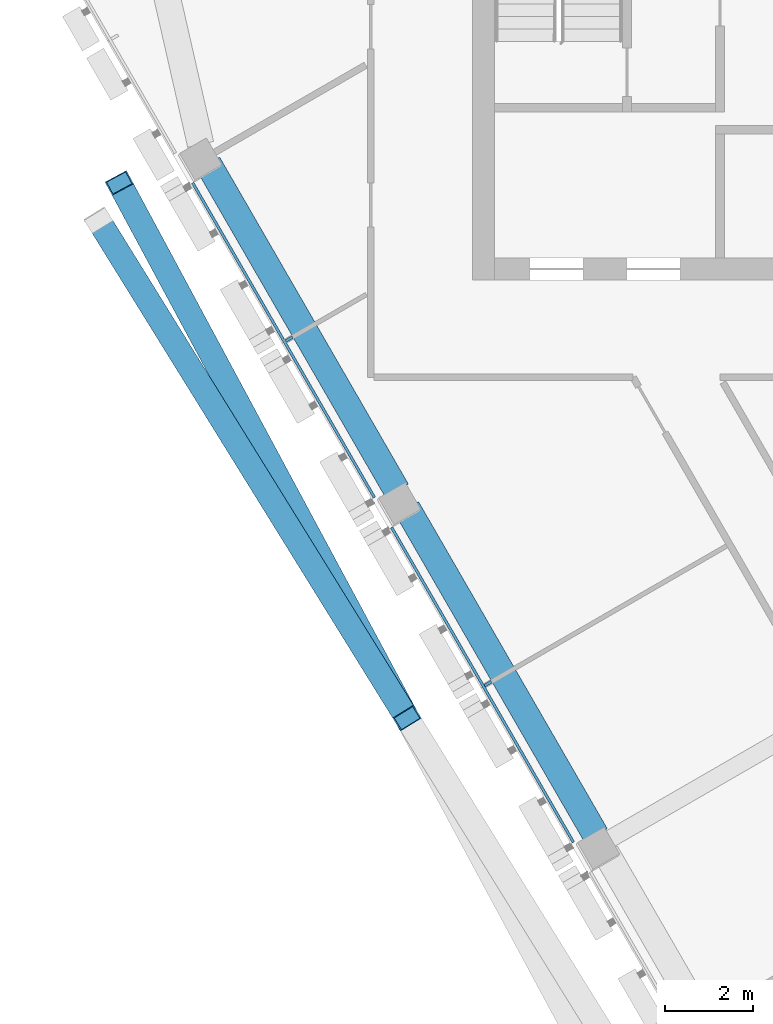
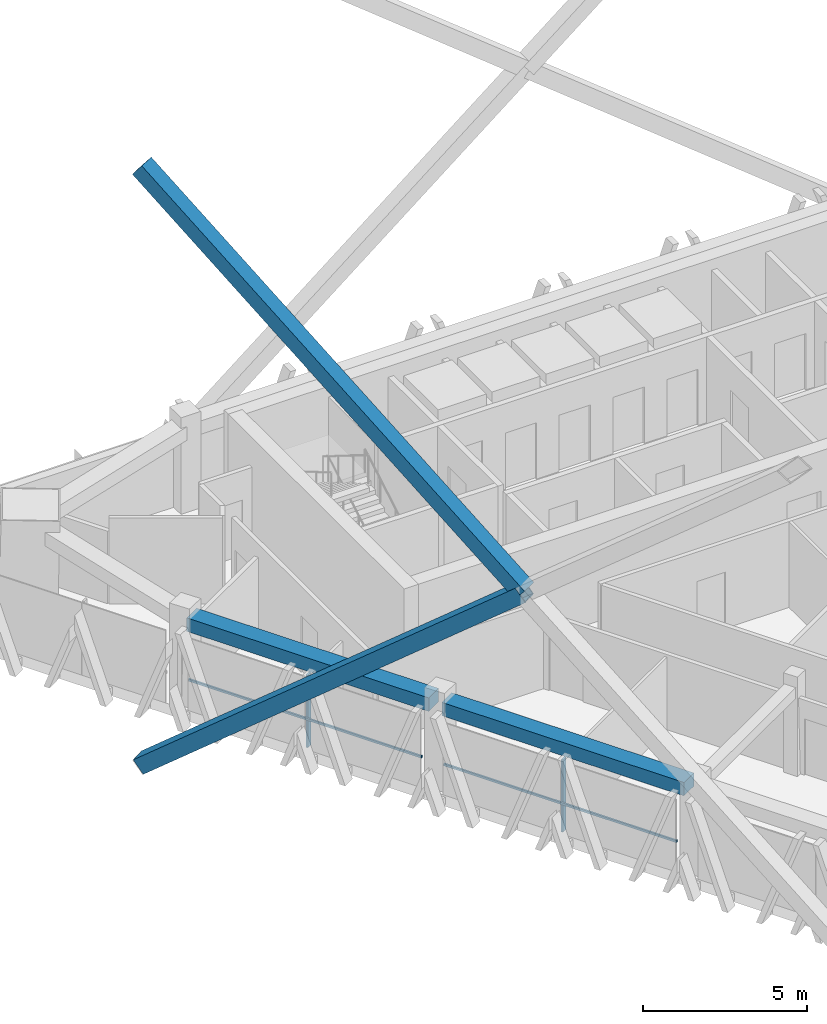
# One storey, part 3 of 12: 6 members, 2 beams, 1 element without a shape of its own.
"""IFC4 building model written with IfcOpenShell, lengths in metres."""

from ifc_helpers import new_model, si_unit, direction, frame, origin, origin_2d, place, context, subcontext, project, spatial, rectangle, hollow_rectangle, extrude, material, layer, layer_set, material_profile, profile_set, type_object, element, aggregate, save


model = new_model("IFC4")

# Units and contexts
model_context = context("Model", 3, precision=1e-05, world=origin(), true_north=direction((0.0, 1.0)))
body_context = subcontext(model_context, "Body", "Model", "MODEL_VIEW")
ifc_project = project(units=[si_unit("LENGTHUNIT", "METRE"), si_unit("AREAUNIT", "SQUARE_METRE"), si_unit("VOLUMEUNIT", "CUBIC_METRE"), si_unit("PLANEANGLEUNIT", "RADIAN"), si_unit("MASSUNIT", "GRAM", prefix="KILO")], contexts=[model_context])

# Site, building, storey
site_placement = place(None, origin())
site = spatial("IfcSite", under=ifc_project, at=site_placement, CompositionType="ELEMENT")
building_placement = place(site_placement, origin())
building = spatial("IfcBuilding", under=site, at=building_placement, Name="Altiplano Prism Tower", CompositionType="ELEMENT")
storey_placement = place(building_placement, frame((0.0, 0.0, 291.39990234375)))
storey = spatial("IfcBuildingStorey", under=building, at=storey_placement, Name="L75", CompositionType="ELEMENT", Elevation=291.39990234375)

# Curtain wall, members
ifc_material_1 = material(Name="Aluminium and glass", Category="aluminium")
ifc_layer = layer(ifc_material_1, 0.280029296875)
ifc_layer_set = layer_set([ifc_layer], Name="Aluminium and glass")
curtain_wall_type = type_object("IfcCurtainWallType", Name="CW1 typical co-living unitised curtain wall", PredefinedType="NOTDEFINED", material=ifc_layer_set)
curtain_wall_placement = place(storey_placement, origin())
curtain_wall = element("IfcCurtainWall", 1, at=curtain_wall_placement, inside=storey, type_object=curtain_wall_type, Name="CW1 curtain wall south-west face L75", PredefinedType="NOTDEFINED")
ifc_material_2 = material(Name="Aluminium", Category="aluminium")
ifc_material_profile_1 = material_profile(ifc_material_2, rectangle(XDim=0.179931640625, YDim=0.06494140625, at=origin_2d()), Name="CW1 mullion 65 x 180")
ifc_profile_set_1 = profile_set([ifc_material_profile_1], Name="Aluminium")
member_type_1 = type_object("IfcMemberType", Name="CW1 mullion 65 x 180", PredefinedType="MULLION", material=ifc_profile_set_1)
member_1_placement = place(storey_placement, frame((68.352783203125, 91.564697265625, 0.0), z_axis=(0.0, 0.0, 1.0), x_axis=(0.866025410373, 0.499999988588, 0.0)))
member_1 = element("IfcMember", 2, at=member_1_placement, type_object=member_type_1, Name="CW1 mullion", PredefinedType="MULLION", context=body_context, shape_type="SweptSolid", body=[
    extrude(rectangle(XDim=0.179931640625, YDim=0.06494140625, at=origin_2d()), origin(), (0.0, 0.0, 1.0), 2.7001953125),
])
member_2_placement = place(storey_placement, frame((72.852783203125, 83.7705078125, 0.0), z_axis=(0.0, 0.0, 1.0), x_axis=(0.866025410373, 0.499999988588, 0.0)))
member_2 = element("IfcMember", 3, at=member_2_placement, type_object=member_type_1, Name="CW1 mullion", PredefinedType="MULLION", context=body_context, shape_type="SweptSolid", body=[
    extrude(rectangle(XDim=0.179931640625, YDim=0.06494140625, at=origin_2d()), origin(), (0.0, 0.0, 1.0), 2.7001953125),
])
ifc_material_profile_2 = material_profile(ifc_material_2, rectangle(XDim=0.06005859375, YDim=0.080078125, at=origin_2d()), Name="CW1 transom 80 x 60")
ifc_profile_set_2 = profile_set([ifc_material_profile_2], Name="Aluminium")
member_type_2 = type_object("IfcMemberType", Name="CW1 transom 80 x 60", PredefinedType="USERDEFINED", material=ifc_profile_set_2)
member_3_placement = place(storey_placement, frame((66.173828125, 95.0986328125, 1.10009765625), z_axis=(0.500010383074, -0.866019409031, 0.0), x_axis=(0.866019409031, 0.500010383074, 0.0)))
member_3 = element("IfcMember", 4, at=member_3_placement, type_object=member_type_2, Name="CW1 transom", ObjectType="TRANSOM", PredefinedType="USERDEFINED", context=body_context, shape_type="SweptSolid", body=[
    extrude(rectangle(XDim=0.06005859375, YDim=0.080078125, at=origin_2d()), origin(), (0.0, 0.0, 1.0), 8.220458984375),
])
member_4_placement = place(storey_placement, frame((70.673828125, 87.304443359375, 1.10009765625), z_axis=(0.500010383074, -0.866019409031, 0.0), x_axis=(0.866019409031, 0.500010383074, 0.0)))
member_4 = element("IfcMember", 5, at=member_4_placement, type_object=member_type_2, Name="CW1 transom", ObjectType="TRANSOM", PredefinedType="USERDEFINED", context=body_context, shape_type="SweptSolid", body=[
    extrude(rectangle(XDim=0.06005859375, YDim=0.080078125, at=origin_2d()), origin(), (0.0, 0.0, 1.0), 8.220458984375),
])
aggregate(curtain_wall, [member_1, member_3, member_2, member_4])

# Beams
ifc_material_3 = material(Name="Concrete C60/75", Category="concrete")
ifc_material_profile_3 = material_profile(ifc_material_3, rectangle(XDim=0.60009765625, YDim=0.5, at=origin_2d()), Name="Edge beam 600x500")
ifc_profile_set_3 = profile_set([ifc_material_profile_3], Name="Concrete C60/75")
beam_type = type_object("IfcBeamType", Name="Edge beam 600x500", PredefinedType="SPANDREL", material=ifc_profile_set_3)
for number, where, z_axis, x_axis, name in (
    (6, (66.52294921875, 95.53125, 2.9501953125), (0.499994660107, -0.866028486751, 0.0), (0.866028486751, 0.499994660107, 0.0), "Edge beam P11-P12 L76"),
    (7, (71.02294921875, 87.73681640625, 2.9501953125), (0.500007039007, -0.866021339774, 0.0), (0.866021339774, 0.500007039007, 0.0), "Edge beam P12-P13 L76"),
):
    element("IfcBeam", number, at=place(storey_placement, frame(where, z_axis=z_axis, x_axis=x_axis)), inside=storey, type_object=beam_type, Name=name, PredefinedType="SPANDREL", context=body_context, shape_type="SweptSolid", body=[
        extrude(rectangle(XDim=0.60009765625, YDim=0.5, at=origin_2d()), origin(), (0.0, 0.0, 1.0), 8.5400390625),
    ])

# Members
ifc_material_4 = material(Name="Steel S355", Category="steel")
ifc_material_profile_4 = material_profile(ifc_material_4, hollow_rectangle(XDim=0.550048828125, YDim=0.550048828125, WallThickness=0.030029296875, at=origin_2d()), Name="Mega brace Box 550x550x30")
ifc_profile_set_4 = profile_set([ifc_material_profile_4], Name="Steel S355")
member_type_3 = type_object("IfcMemberType", Name="Mega brace Box 550x550x30", PredefinedType="BRACE", material=ifc_profile_set_4)
member_5_placement = place(storey_placement, frame((64.045166015625, 94.2470703125, -0.73095703125), z_axis=(0.40861025017, -0.659143332427, 0.631322208364), x_axis=(0.849936539472, 0.526885071785, 0.0)))
element("IfcMember", 8, at=member_5_placement, inside=storey, type_object=member_type_3, Name="Mega brace 8.1.1", PredefinedType="BRACE", context=body_context, shape_type="SweptSolid", body=[
    extrude(hollow_rectangle(XDim=0.550048828125, YDim=0.550048828125, WallThickness=0.030029296875, at=origin_2d()), origin(), (0.0, 0.0, 1.0), 17.076904296875),
])
member_6_placement = place(storey_placement, frame((71.02294921875, 82.990966796875, 10.050048828125), z_axis=(-0.372392896237, 0.692568389923, 0.61779653294), x_axis=(-0.880751526039, -0.473578662294, 0.0)))
element("IfcMember", 9, at=member_6_placement, inside=storey, type_object=member_type_3, Name="Mega brace 8.1.4", PredefinedType="BRACE", context=body_context, shape_type="SweptSolid", body=[
    extrude(hollow_rectangle(XDim=0.550048828125, YDim=0.550048828125, WallThickness=0.030029296875, at=origin_2d()), origin(), (0.0, 0.0, 1.0), 17.4814453125),
])

save(model, "model.ifc")
